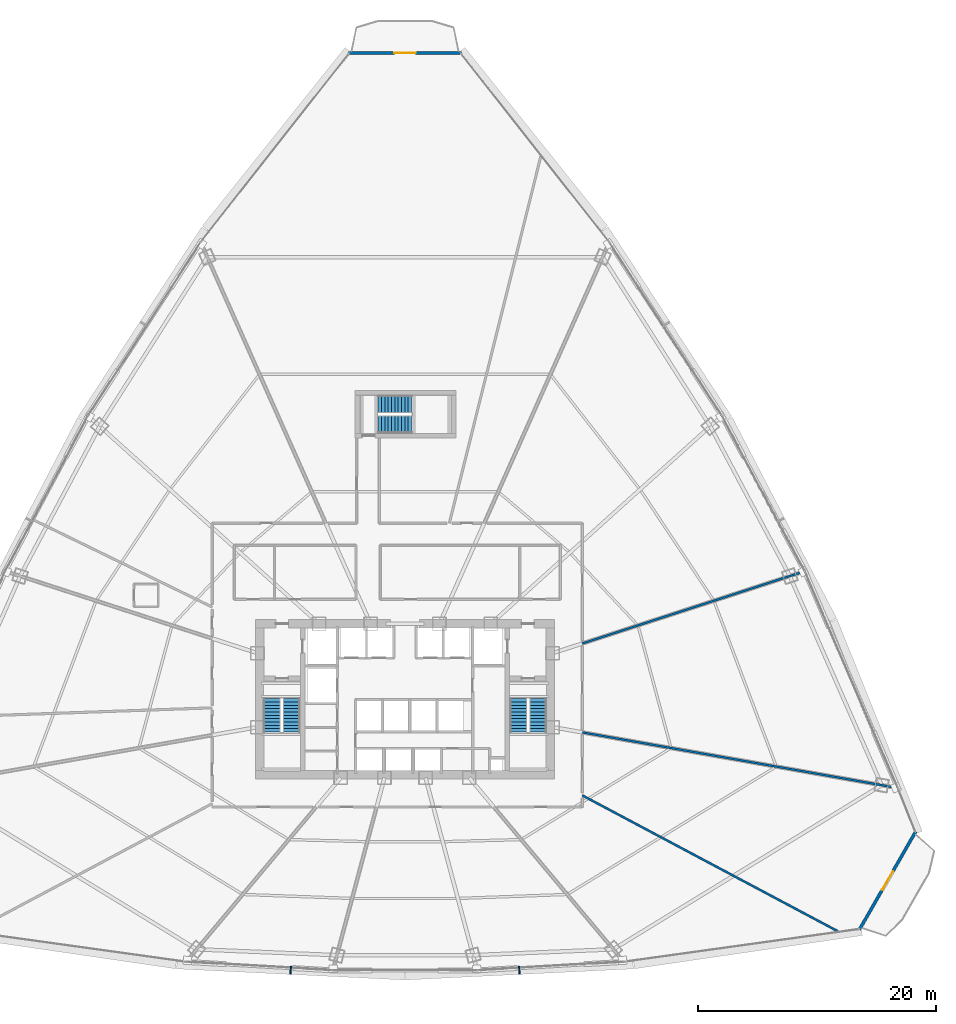
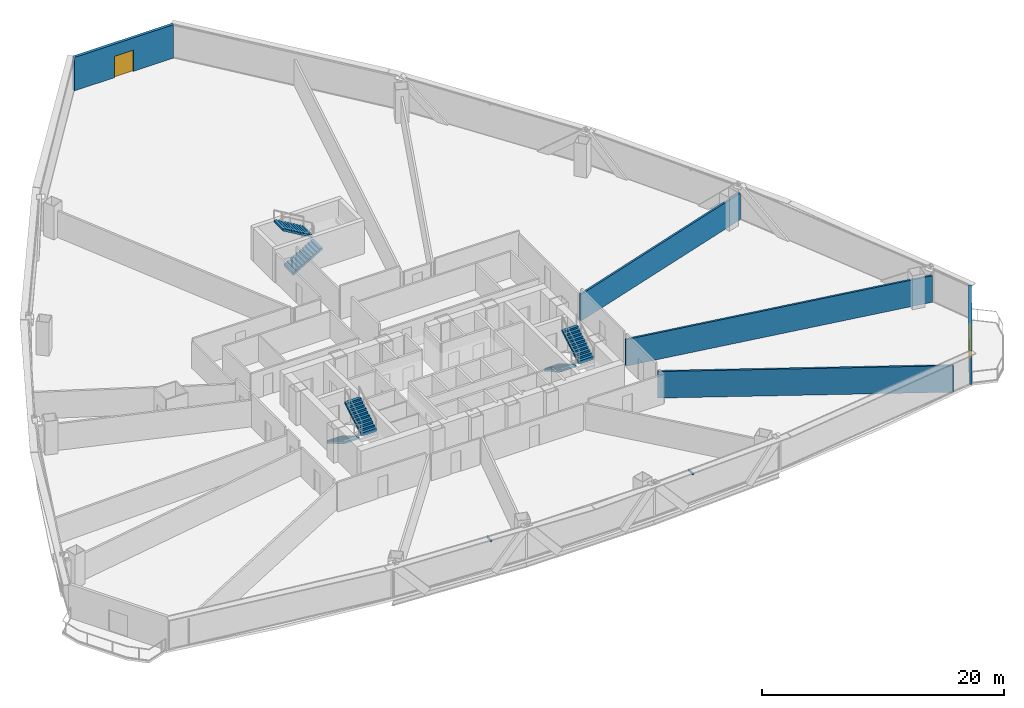
# One storey, part 32 of 37: 6 stair flights, 5 walls, 2 discrete accessories, 2 doors, 2 openings, 3 elements without a shape of their own.
"""IFC4 building model written with IfcOpenShell, lengths in metres."""

from ifc_helpers import new_model, si_unit, direction, frame, frame_2d, origin, origin_with_axes, origin_2d, place, context, subcontext, project, spatial, polyline, rectangle, outline, extrude, source, transform, mapped, material, layer, layer_set, type_object, element, fill, aggregate, save


model = new_model("IFC4")

# Units and contexts
model_context = context("Model", 3, precision=1e-05, world=origin(), true_north=direction((0.0, 1.0)))
body_context = subcontext(model_context, "Body", "Model", "MODEL_VIEW")
ifc_project = project(units=[si_unit("LENGTHUNIT", "METRE"), si_unit("AREAUNIT", "SQUARE_METRE"), si_unit("VOLUMEUNIT", "CUBIC_METRE"), si_unit("PLANEANGLEUNIT", "RADIAN"), si_unit("MASSUNIT", "GRAM", prefix="KILO"), si_unit("THERMODYNAMICTEMPERATUREUNIT", "KELVIN"), si_unit("POWERUNIT", "WATT")], contexts=[model_context])

# Site, building, storey
site_placement = place(None, origin())
site = spatial("IfcSite", under=ifc_project, at=site_placement, CompositionType="ELEMENT")
building_placement = place(site_placement, origin())
building = spatial("IfcBuilding", under=site, at=building_placement, Name="Yunzhuo Pagoda Commons", CompositionType="ELEMENT")
storey_placement = place(building_placement, frame((0.0, 0.0, 59.43994140625)))
storey = spatial("IfcBuildingStorey", under=building, at=storey_placement, Name="L15", CompositionType="ELEMENT", Elevation=59.43994140625)

# Wall, opening, door
ifc_material_1 = material(Name="Precast concrete C40", Category="concrete")
ifc_layer_1 = layer(ifc_material_1, 0.260009765625)
ifc_layer_set_1 = layer_set([ifc_layer_1], Name="Precast concrete C40")
wall_type_1 = type_object("IfcWallType", Name="W-BAL1 Corner Balcony Threshold Wall 260", PredefinedType="STANDARD", material=ifc_layer_set_1)
wall_1_placement = place(storey_placement, frame((86.183837890625, 14.498779296875, 0.0), z_axis=(0.0, 0.0, 1.0), x_axis=(0.497919395469, 0.86722331358, 0.0)))
wall_1 = element("IfcWall", 1, at=wall_1_placement, inside=storey, type_object=wall_type_1, Name="L15 corner balcony wall V2", PredefinedType="STANDARD", context=body_context, shape_type="SweptSolid", body=[
    extrude(rectangle(XDim=9.50439453125, YDim=0.260009765625, at=frame_2d((4.752197265625, 0.0))), origin(), (0.0, 0.0, 1.0), 3.3701171875),
])
opening_1_placement = place(wall_1_placement, frame((3.852294921875, 0.0, 0.0)))
opening_1 = element("IfcOpeningElement", 2, at=opening_1_placement, cuts=wall_1, Name="Opening D-BAL1", PredefinedType="OPENING", context=body_context, shape_type="SweptSolid", body=[
    extrude(rectangle(XDim=1.800048828125, YDim=2.14990234375, at=frame_2d((0.89990234375, 1.074951171875))), frame((0.0, 0.14013671875, 0.0), z_axis=(0.0, -1.0, 0.0), x_axis=(1.0, 0.0, 0.0)), (0.0, 0.0, 1.0), 0.280029296875),
])
ifc_material_2 = material(Name="Anodized aluminium frame and tempered glazed leaf", Category="aluminium")
door_type = type_object("IfcDoorType", Name="D-BAL1 Corner Balcony Sliding Glazed Door 1800x2150", OperationType="DOUBLE_DOOR_SLIDING", PredefinedType="DOOR", material=ifc_material_2)
shared_shape_1 = source(origin(), body_context, "Body", "SweptSolid", [
    extrude(rectangle(XDim=1.800048828125, YDim=2.14990234375, at=frame_2d((0.89990234375, 1.074951171875))), frame((0.0, 0.02490234375, 0.0), z_axis=(0.0, -1.0, 0.0), x_axis=(1.0, 0.0, 0.0)), (0.0, 0.0, 1.0), 0.050048828125),
])
door_1_placement = place(opening_1_placement, origin_with_axes())
door_1 = element("IfcDoor", 3, at=door_1_placement, inside=storey, type_object=door_type, Name="L15 corner balcony sliding door V2", OperationType="DOUBLE_DOOR_SLIDING", OverallHeight=2.14990234375, OverallWidth=1.800048828125, PredefinedType="DOOR", context=body_context, shape_type="MappedRepresentation", body=[
    mapped(shared_shape_1, transform((0.0, 0.0, 0.0), scale=1.0)),
])
fill(opening_1, door_1)

wall_2_placement = place(storey_placement, frame((52.733154296875, 88.150390625, 0.0), z_axis=(0.0, 0.0, 1.0), x_axis=(-1.0, 0.0, 0.0)))
wall_2 = element("IfcWall", 4, at=wall_2_placement, inside=storey, type_object=wall_type_1, Name="L15 corner balcony wall V3", PredefinedType="STANDARD", context=body_context, shape_type="SweptSolid", body=[
    extrude(rectangle(XDim=9.46630859375, YDim=0.260009765625, at=frame_2d((4.733154296875, 0.0))), origin(), (0.0, 0.0, 1.0), 3.3701171875),
])
opening_2_placement = place(wall_2_placement, frame((3.8330078125, 0.0, 0.0)))
opening_2 = element("IfcOpeningElement", 5, at=opening_2_placement, cuts=wall_2, Name="Opening D-BAL1", PredefinedType="OPENING", context=body_context, shape_type="SweptSolid", body=[
    extrude(rectangle(XDim=1.800048828125, YDim=2.14990234375, at=frame_2d((0.89990234375, 1.074951171875))), frame((0.0, 0.14013671875, 0.0), z_axis=(0.0, -1.0, 0.0), x_axis=(1.0, 0.0, 0.0)), (0.0, 0.0, 1.0), 0.280029296875),
])
door_2_placement = place(opening_2_placement, origin_with_axes())
door_2 = element("IfcDoor", 6, at=door_2_placement, inside=storey, type_object=door_type, Name="L15 corner balcony sliding door V3", OperationType="DOUBLE_DOOR_SLIDING", OverallHeight=2.14990234375, OverallWidth=1.800048828125, PredefinedType="DOOR", context=body_context, shape_type="MappedRepresentation", body=[
    mapped(shared_shape_1, transform((0.0, 0.0, 0.0), scale=1.0)),
])
fill(opening_2, door_2)

# Walls
ifc_material_3 = material(Name="Gypsum plasterboard on acoustic stud")
ifc_layer_2 = layer(ifc_material_3, 0.179931640625)
ifc_layer_set_2 = layer_set([ifc_layer_2], Name="Gypsum plasterboard on acoustic stud")
wall_type_2 = type_object("IfcWallType", Name="W-PRT2 Acoustic Unit Demising Wall 180", PredefinedType="PARTITIONING", material=ifc_layer_set_2)
wall_3_placement = place(storey_placement, frame((62.89990234375, 38.541259765625, 0.0), z_axis=(0.0, 0.0, 1.0), x_axis=(0.951053317048, 0.309026840471, 0.0)))
element("IfcWall", 7, at=wall_3_placement, inside=storey, type_object=wall_type_2, Name="L15 interior wall IW-L15-RAD01", PredefinedType="PARTITIONING", context=body_context, shape_type="SweptSolid", body=[
    extrude(rectangle(XDim=19.66552734375, YDim=0.179931640625, at=frame_2d((9.832763671875, 0.0))), origin(), (0.0, 0.0, 1.0), 2.670166015625),
])
wall_4_placement = place(storey_placement, frame((62.89990234375, 25.777587890625, 0.0), z_axis=(0.0, 0.0, 1.0), x_axis=(0.882949316257, -0.469468321531, 0.0)))
element("IfcWall", 8, at=wall_4_placement, inside=storey, type_object=wall_type_2, Name="L15 interior wall IW-L15-RAD13", PredefinedType="PARTITIONING", context=body_context, shape_type="SweptSolid", body=[
    extrude(rectangle(XDim=24.43701171875, YDim=0.179931640625, at=frame_2d((12.218505859375, 0.0))), origin(), (0.0, 0.0, 1.0), 2.670166015625),
])
wall_5_placement = place(storey_placement, frame((62.89990234375, 31.07275390625, 0.0), z_axis=(0.0, 0.0, 1.0), x_axis=(0.984808099647, -0.173646211791, 0.0)))
element("IfcWall", 9, at=wall_5_placement, inside=storey, type_object=wall_type_2, Name="L15 interior wall IW-L15-RAD14", PredefinedType="PARTITIONING", context=body_context, shape_type="SweptSolid", body=[
    extrude(rectangle(XDim=26.929931640625, YDim=0.179931640625, at=frame_2d((13.46484375, 0.0))), origin(), (0.0, 0.0, 1.0), 2.670166015625),
])

# Stair, stair flights
ifc_material_4 = material(Name="Concrete C40", Category="concrete")
stair_type_1 = type_object("IfcStairType", Name="ST-C1 Core Smokeproof Stair ST1", PredefinedType="HALF_TURN_STAIR", material=ifc_material_4)
stair_1_placement = place(storey_placement, origin())
stair_1 = element("IfcStair", 10, at=stair_1_placement, inside=storey, type_object=stair_type_1, Name="L15 Core smokeproof stair ST1", PredefinedType="HALF_TURN_STAIR")
stair_flight_type_1 = type_object("IfcStairFlightType", Name="STF-C1 Core Stair Flight 1450", PredefinedType="STRAIGHT", material=ifc_material_4)
shared_shape_2 = source(origin(), body_context, "Body", "SweptSolid", [
    extrude(outline(polyline([(0.0, -0.14990234375), (0.0, 0.0), (0.0, 0.1650390625), (0.280029296875, 0.1650390625), (0.280029296875, 0.330078125), (0.56005859375, 0.330078125), (0.56005859375, 0.4951171875), (0.840087890625, 0.4951171875), (0.840087890625, 0.659912109375), (1.1201171875, 0.659912109375), (1.1201171875, 0.824951171875), (1.39990234375, 0.824951171875), (1.39990234375, 0.989990234375), (1.679931640625, 0.989990234375), (1.679931640625, 1.155029296875), (1.9599609375, 1.155029296875), (1.9599609375, 1.320068359375), (2.239990234375, 1.320068359375), (2.239990234375, 1.485107421875), (2.52001953125, 1.485107421875), (2.52001953125, 1.64990234375), (2.800048828125, 1.64990234375), (2.800048828125, 1.81494140625), (2.800048828125, 1.47607421875), (0.295166015625, 0.0), (0.050048828125, -0.14990234375), (0.0, -0.14990234375)])), frame((0.0, 0.72509765625, 0.0), z_axis=(0.0, -1.0, 0.0), x_axis=(1.0, 0.0, 0.0)), (0.0, 0.0, 1.0), 1.449951171875),
])
stair_flight_1_placement = place(storey_placement, frame((36.824951171875, 33.89990234375, 0.0), z_axis=(0.0, 0.0, 1.0), x_axis=(0.0, -1.0, 0.0)))
stair_flight_1 = element("IfcStairFlight", 11, at=stair_flight_1_placement, type_object=stair_flight_type_1, Name="ST1 flight 1", NumberOfRisers=11, NumberOfTreads=10, PredefinedType="STRAIGHT", RiserHeight=0.165, TreadLength=0.28, context=body_context, shape_type="MappedRepresentation", body=[
    mapped(shared_shape_2, transform((0.0, 0.0, 0.0), scale=1.0)),
])
stair_flight_2_placement = place(storey_placement, frame((38.47509765625, 31.10009765625, 1.81494140625), z_axis=(0.0, 0.0, 1.0), x_axis=(0.0, 1.0, 0.0)))
stair_flight_2 = element("IfcStairFlight", 12, at=stair_flight_2_placement, type_object=stair_flight_type_1, Name="ST1 flight 2", NumberOfRisers=11, NumberOfTreads=10, PredefinedType="STRAIGHT", RiserHeight=0.165, TreadLength=0.28, context=body_context, shape_type="MappedRepresentation", body=[
    mapped(shared_shape_2, transform((0.0, 0.0, 0.0), scale=1.0)),
])
aggregate(stair_1, [stair_flight_1, stair_flight_2])

stair_type_2 = type_object("IfcStairType", Name="ST-C2 Core Smokeproof Stair ST2", PredefinedType="HALF_TURN_STAIR", material=ifc_material_4)
stair_2_placement = place(storey_placement, origin())
stair_2 = element("IfcStair", 13, at=stair_2_placement, inside=storey, type_object=stair_type_2, Name="L15 Core smokeproof stair ST2", PredefinedType="HALF_TURN_STAIR")
stair_flight_type_2 = type_object("IfcStairFlightType", Name="STF-C2 Core Stair Flight 1460", PredefinedType="STRAIGHT", material=ifc_material_4)
stair_flight_3_placement = place(storey_placement, frame((57.52490234375, 33.89990234375, 0.0), z_axis=(0.0, 0.0, 1.0), x_axis=(0.0, -1.0, 0.0)))
stair_flight_3 = element("IfcStairFlight", 14, at=stair_flight_3_placement, type_object=stair_flight_type_2, Name="ST2 flight 1", NumberOfRisers=11, NumberOfTreads=10, PredefinedType="STRAIGHT", RiserHeight=0.165, TreadLength=0.28, context=body_context, shape_type="MappedRepresentation", body=[
    mapped(shared_shape_2, transform((0.0, 0.0, 0.0), scale=1.0)),
])
stair_flight_4_placement = place(storey_placement, frame((59.175048828125, 31.10009765625, 1.81494140625), z_axis=(0.0, 0.0, 1.0), x_axis=(0.0, 1.0, 0.0)))
stair_flight_4 = element("IfcStairFlight", 15, at=stair_flight_4_placement, type_object=stair_flight_type_2, Name="ST2 flight 2", NumberOfRisers=11, NumberOfTreads=10, PredefinedType="STRAIGHT", RiserHeight=0.165, TreadLength=0.28, context=body_context, shape_type="MappedRepresentation", body=[
    mapped(shared_shape_2, transform((0.0, 0.0, 0.0), scale=1.0)),
])
aggregate(stair_2, [stair_flight_3, stair_flight_4])

stair_type_3 = type_object("IfcStairType", Name="ST-C3 North Tower Smokeproof Stair ST3", PredefinedType="HALF_TURN_STAIR", material=ifc_material_4)
stair_3_placement = place(storey_placement, origin())
stair_3 = element("IfcStair", 16, at=stair_3_placement, inside=storey, type_object=stair_type_3, Name="L15 North tower smokeproof stair ST3", PredefinedType="HALF_TURN_STAIR")
stair_flight_type_3 = type_object("IfcStairFlightType", Name="STF-C3 North Stair Flight 1500", PredefinedType="STRAIGHT", material=ifc_material_4)
shared_shape_3 = source(origin(), body_context, "Body", "SweptSolid", [
    extrude(outline(polyline([(0.0, -0.14990234375), (0.0, 0.0), (0.0, 0.1650390625), (0.280029296875, 0.1650390625), (0.280029296875, 0.330078125), (0.56005859375, 0.330078125), (0.56005859375, 0.4951171875), (0.840087890625, 0.4951171875), (0.840087890625, 0.659912109375), (1.1201171875, 0.659912109375), (1.1201171875, 0.824951171875), (1.39990234375, 0.824951171875), (1.39990234375, 0.989990234375), (1.679931640625, 0.989990234375), (1.679931640625, 1.155029296875), (1.9599609375, 1.155029296875), (1.9599609375, 1.320068359375), (2.239990234375, 1.320068359375), (2.239990234375, 1.485107421875), (2.52001953125, 1.485107421875), (2.52001953125, 1.64990234375), (2.800048828125, 1.64990234375), (2.800048828125, 1.81494140625), (2.800048828125, 1.47607421875), (0.295166015625, 0.0), (0.050048828125, -0.14990234375), (0.0, -0.14990234375)])), frame((0.0, 0.75, 0.0), z_axis=(0.0, -1.0, 0.0), x_axis=(1.0, 0.0, 0.0)), (0.0, 0.0, 1.0), 1.5),
])
stair_flight_5_placement = place(storey_placement, frame((45.75, 56.949951171875, 0.0), z_axis=(0.0, 0.0, 1.0), x_axis=(1.0, 0.0, 0.0)))
stair_flight_5 = element("IfcStairFlight", 17, at=stair_flight_5_placement, type_object=stair_flight_type_3, Name="ST3 flight 1", NumberOfRisers=11, NumberOfTreads=10, PredefinedType="STRAIGHT", RiserHeight=0.165, TreadLength=0.28, context=body_context, shape_type="MappedRepresentation", body=[
    mapped(shared_shape_3, transform((0.0, 0.0, 0.0), scale=1.0)),
])
stair_flight_6_placement = place(storey_placement, frame((48.550048828125, 58.64990234375, 1.81494140625), z_axis=(0.0, 0.0, 1.0), x_axis=(-1.0, 0.0, 0.0)))
stair_flight_6 = element("IfcStairFlight", 18, at=stair_flight_6_placement, type_object=stair_flight_type_3, Name="ST3 flight 2", NumberOfRisers=11, NumberOfTreads=10, PredefinedType="STRAIGHT", RiserHeight=0.165, TreadLength=0.28, context=body_context, shape_type="MappedRepresentation", body=[
    mapped(shared_shape_3, transform((0.0, 0.0, 0.0), scale=1.0)),
])
aggregate(stair_3, [stair_flight_5, stair_flight_6])

# Discrete accessories
ifc_material_5 = material(Name="Anodized aluminium 6063-T6", Category="aluminium")
discrete_accessory_type = type_object("IfcDiscreteAccessoryType", Name="BK-SUN1 Sunshade Outrigger Bracket", PredefinedType="BRACKET", material=ifc_material_5)
shared_shape_4 = source(origin(), body_context, "Body", "SweptSolid", [
    extrude(rectangle(XDim=0.1201171875, YDim=0.679931640625, at=origin_2d()), origin(), (0.0, 0.0, 1.0), 0.179931640625),
])
for number, where, z_axis, x_axis, name in (
    (19, (38.3974609375, 11.096923828125, 3.16015625), (0.0, 0.0, 1.0), (0.998818043775, -0.04860571396, 0.0), "L15 sunshade outrigger bracket F1.2"),
    (20, (57.6025390625, 11.096923828125, 3.16015625), (0.0, 0.0, 1.0), (0.998818043775, 0.04860571396, 0.0), "L15 sunshade outrigger bracket F1.3"),
):
    element("IfcDiscreteAccessory", number, at=place(storey_placement, frame(where, z_axis=z_axis, x_axis=x_axis)), inside=storey, type_object=discrete_accessory_type, Name=name, PredefinedType="BRACKET", context=body_context, shape_type="MappedRepresentation", body=[
        mapped(shared_shape_4, transform((0.0, 0.0, 0.0), scale=1.0)),
    ])

save(model, "model.ifc")
